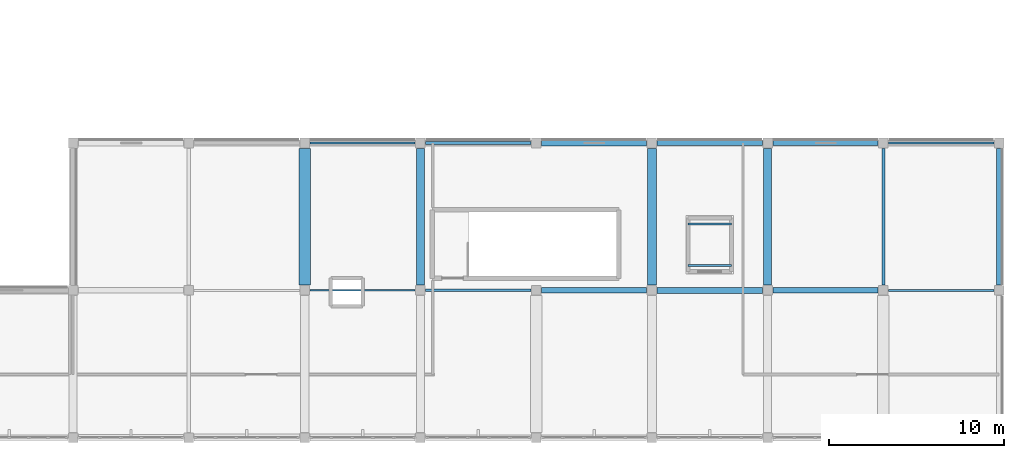
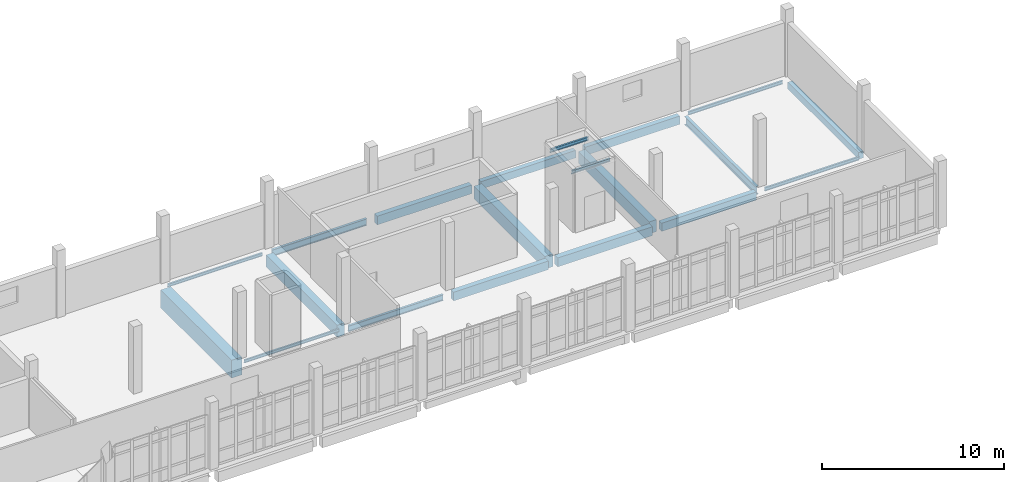
# One storey, part 86 of 134: 20 beams.
"""IFC4 building model written with IfcOpenShell, lengths in metres."""

import ifcopenshell
import ifcopenshell.guid

model = None  # the IFC model being written
_history = None  # IfcOwnerHistory: only IFC2X3 demands one
_inside = {}  # id of a spatial element -> (the spatial element, [elements in it])
_under = {}  # id of a project, library or spatial element -> (it, [spatial elements below it])
_declared = {}  # id of a project -> (the project, [libraries it declares])
_typed = {}  # id of a type object -> (the type object, [elements of that type])
_made_of = {}  # id of a material, layer set ... -> (it, [elements and type objects made of it])


def new_model(schema):
    """Start an empty IFC model of exactly this schema.

    Asked for "IFC4X3", IfcOpenShell would pick the latest addendum, in which some entities
    have other attributes; the version numbers below select the first issue.
    IFC2X3 requires an IfcOwnerHistory on every rooted entity: one is made here for all.
    """
    global model, _history
    if schema == "IFC4X3":
        model = ifcopenshell.file(schema_version=(4, 3, 0, 0))
    else:
        model = ifcopenshell.file(schema=schema)
    _inside.clear()
    _under.clear()
    _declared.clear()
    _typed.clear()
    _made_of.clear()
    _history = None
    if model.schema == "IFC2X3":
        org = make("IfcOrganization", Name="unknown")
        user = make(
            "IfcPersonAndOrganization",
            ThePerson=make("IfcPerson", FamilyName="unknown"),
            TheOrganization=org,
        )
        app = make(
            "IfcApplication",
            ApplicationDeveloper=org,
            Version="unknown",
            ApplicationFullName="unknown",
            ApplicationIdentifier="unknown",
        )
        _history = make(
            "IfcOwnerHistory",
            OwningUser=user,
            OwningApplication=app,
            ChangeAction="ADDED",
            CreationDate=0,
        )
    return model


def make(cls, **values):
    """One entity of the class cls with the attributes given. An attribute that is None is left unset."""
    return model.create_entity(
        cls, **{name: value for name, value in values.items() if value is not None}
    )


def rooted(cls, **values):
    """An entity with a GlobalId (a new one), such as an element, a storey or a relation."""
    return make(cls, GlobalId=ifcopenshell.guid.new(), OwnerHistory=_history, **values)


def si_unit(unit_type, name, prefix=None):
    """IfcSIUnit, for example si_unit("LENGTHUNIT", "METRE", prefix="MILLI")."""
    return make("IfcSIUnit", UnitType=unit_type, Prefix=prefix, Name=name)


def assignment(units):
    """IfcUnitAssignment: the units of a project."""
    return None if units is None else make("IfcUnitAssignment", Units=units)


def point(xyz):
    """IfcCartesianPoint."""
    return None if xyz is None else make("IfcCartesianPoint", Coordinates=xyz)


def direction(xyz):
    """IfcDirection."""
    return None if xyz is None else make("IfcDirection", DirectionRatios=xyz)


def frame(location, z_axis=None, x_axis=None):
    """IfcAxis2Placement3D, a coordinate frame: its origin and axes. An axis left out is left unset."""
    return make(
        "IfcAxis2Placement3D",
        Location=point(location),
        Axis=direction(z_axis),
        RefDirection=direction(x_axis),
    )


def frame_2d(location, x_axis=None):
    """IfcAxis2Placement2D, a coordinate frame in the plane: its origin and x axis."""
    return make(
        "IfcAxis2Placement2D", Location=point(location), RefDirection=direction(x_axis)
    )


def origin():
    """The frame at (0, 0, 0) with its axes left unset."""
    return frame((0.0, 0.0, 0.0))


def origin_2d():
    """The frame at (0, 0) in the plane with its x axis left unset."""
    return frame_2d((0.0, 0.0))


def place(relative_to, where):
    """IfcLocalPlacement: puts the frame where relative to a parent placement (None: the world)."""
    return make(
        "IfcLocalPlacement", PlacementRelTo=relative_to, RelativePlacement=where
    )


def context(
    kind, dimensions, precision=None, world=None, true_north=None, identifier=None
):
    """IfcGeometricRepresentationContext, for example the 3D "Model" context."""
    return make(
        "IfcGeometricRepresentationContext",
        ContextIdentifier=identifier,
        ContextType=kind,
        CoordinateSpaceDimension=dimensions,
        Precision=precision,
        WorldCoordinateSystem=world,
        TrueNorth=true_north,
    )


def subcontext(parent, identifier, kind, view, scale=None):
    """IfcGeometricRepresentationSubContext, for example "Body" below "Model"."""
    return make(
        "IfcGeometricRepresentationSubContext",
        ContextIdentifier=identifier,
        ContextType=kind,
        ParentContext=parent,
        TargetScale=scale,
        TargetView=view,
    )


def project(units=None, contexts=None):
    """IfcProject with its units and contexts."""
    return rooted(
        "IfcProject",
        Name="project",
        RepresentationContexts=contexts,
        UnitsInContext=assignment(units),
    )


def spatial(cls, under=None, at=None, **own):
    """A site, building, storey or space (cls), placed at a placement, below another one or the project."""
    s = rooted(cls, ObjectPlacement=at, **own)
    if under is not None:
        _under.setdefault(under.id(), (under, []))[1].append(s)
    return s


def profile(cls, at=None, kind="AREA", **sizes):
    """A parametric profile (cls). Its sizes go by their IFC names, for example OverallWidth=200.0."""
    return make(cls, ProfileType=kind, Position=at, **sizes)


def rectangle(**sizes):
    """IfcRectangleProfileDef."""
    return profile("IfcRectangleProfileDef", **sizes)


def i_section(**sizes):
    """IfcIShapeProfileDef."""
    return profile("IfcIShapeProfileDef", **sizes)


def extrude(swept, where, along, depth):
    """IfcExtrudedAreaSolid: the profile swept, set in the frame where, extruded along a direction by depth."""
    return make(
        "IfcExtrudedAreaSolid",
        SweptArea=swept,
        Position=where,
        ExtrudedDirection=direction(along),
        Depth=depth,
    )


def shape(context_of_items, identifier, shape_type, items):
    """IfcShapeRepresentation: the items that make up one representation, for example the "Body"."""
    return make(
        "IfcShapeRepresentation",
        ContextOfItems=context_of_items,
        RepresentationIdentifier=identifier,
        RepresentationType=shape_type,
        Items=items,
    )


def material(Name=None, Category=None):
    """IfcMaterial."""
    return make("IfcMaterial", Name=Name, Category=Category)


def material_profile(
    of_material, cross_section, Name=None, Category=None, Priority=None
):
    """IfcMaterialProfile: a cross section and its material."""
    return make(
        "IfcMaterialProfile",
        Name=Name,
        Material=of_material,
        Profile=cross_section,
        Priority=Priority,
        Category=Category,
    )


def profile_set(profiles, Name=None, composite=None):
    """IfcMaterialProfileSet."""
    return make(
        "IfcMaterialProfileSet",
        Name=Name,
        MaterialProfiles=profiles,
        CompositeProfile=composite,
    )


def made_of(thing, what):
    """Note that an element or type object is made of a material, layer set ...; save() writes the relation."""
    if what is not None:
        _made_of.setdefault(what.id(), (what, []))[1].append(thing)
    return thing


def type_object(cls, material=None, **own):
    """A type object (cls), such as IfcWallType, which elements share."""
    return made_of(rooted(cls, **own), material)


def element(
    cls,
    number,
    at=None,
    inside=None,
    cuts=None,
    type_object=None,
    material=None,
    context=None,
    identifier="Body",
    shape_type=None,
    held_by="IfcProductDefinitionShape",
    body=None,
    shapes=None,
    **own,
):
    """One element of the class cls, such as IfcWall. Its Tag is "e" and its number.

    at: its placement. inside: the storey or other place that contains it. cuts: it is an
    opening in that element (IfcRelVoidsElement). A single representation is given by context,
    identifier, shape_type and body (its items); several are given by shapes. held_by: the class
    of the entity that holds the representations. save() writes the other relations.
    """
    e = rooted(cls, Tag="e%d" % number, ObjectPlacement=at, **own)
    if body is not None:
        shapes = [shape(context, identifier, shape_type, body)]
    if shapes is not None:
        e.Representation = make(held_by, Representations=shapes)
    if inside is not None:
        _inside.setdefault(inside.id(), (inside, []))[1].append(e)
    if cuts is not None:
        rooted(
            "IfcRelVoidsElement", RelatingBuildingElement=cuts, RelatedOpeningElement=e
        )
    if type_object is not None:
        _typed.setdefault(type_object.id(), (type_object, []))[1].append(e)
    return made_of(e, material)


def aggregate(whole, parts):
    """IfcRelAggregates: a whole, such as a stair, and the parts it consists of."""
    return rooted("IfcRelAggregates", RelatingObject=whole, RelatedObjects=parts)


def save(model, path):
    """Write the relations noted so far, then the file.

    IfcRelAggregates (storeys below a building ...), IfcRelContainedInSpatialStructure (elements
    in a storey), IfcRelDefinesByType, IfcRelAssociatesMaterial and IfcRelDeclares: one each for
    every whole, place, type object, material and project.
    """
    for whole, parts in _under.values():
        aggregate(whole, parts)
    for where, things in _inside.values():
        rooted(
            "IfcRelContainedInSpatialStructure",
            RelatedElements=things,
            RelatingStructure=where,
        )
    for kind, things in _typed.values():
        rooted("IfcRelDefinesByType", RelatedObjects=things, RelatingType=kind)
    for what, things in _made_of.values():
        rooted("IfcRelAssociatesMaterial", RelatedObjects=things, RelatingMaterial=what)
    for by, libraries in _declared.values():
        rooted("IfcRelDeclares", RelatingContext=by, RelatedDefinitions=libraries)
    model.write(path)


model = new_model("IFC4")

# Units and contexts
model_context = context("Model", 3, precision=1e-05, world=origin(), true_north=direction((0.0, 1.0)))
body_context = subcontext(model_context, "Body", "Model", "MODEL_VIEW")
ifc_project = project(units=[si_unit("LENGTHUNIT", "METRE"), si_unit("AREAUNIT", "SQUARE_METRE"), si_unit("VOLUMEUNIT", "CUBIC_METRE"), si_unit("PLANEANGLEUNIT", "RADIAN"), si_unit("MASSUNIT", "GRAM", prefix="KILO")], contexts=[model_context])

# Site, building, storey
site_placement = place(None, origin())
site = spatial("IfcSite", under=ifc_project, at=site_placement, CompositionType="ELEMENT")
building_placement = place(site_placement, origin())
building = spatial("IfcBuilding", under=site, at=building_placement, Name="Kalluvel Institute of Natural Sciences", CompositionType="ELEMENT")
storey_placement = place(building_placement, frame((0.0, 0.0, 5.39990234375)))
storey = spatial("IfcBuildingStorey", under=building, at=storey_placement, Name="L01", CompositionType="ELEMENT", Elevation=5.39990234375)

# Beams
ifc_material_1 = material(Name="Steel E350 Grade 350", Category="steel")
ifc_material_profile_1 = material_profile(ifc_material_1, i_section(OverallWidth=0.10009765625, OverallDepth=0.199951171875, WebThickness=0.005615234375, FlangeThickness=0.0107421875, FilletRadius=0.010986328125, at=origin_2d()), Name="ISMB 200")
ifc_profile_set_1 = profile_set([ifc_material_profile_1], Name="Steel E350 Grade 350")
beam_type_1 = type_object("IfcBeamType", Name="BM-ISMB200", PredefinedType="BEAM", material=ifc_profile_set_1)
for number, where, z_axis, x_axis, name in (
    (1, (142.699951171875, 111.199951171875, -0.4599609375), (1.0, 0.0, 0.0), (0.0, 1.0, 0.0), "L01 girder GIR-L01-EW-X1424-Y1112"),
    (2, (142.699951171875, 119.60009765625, -0.4599609375), (1.0, 0.0, 0.0), (0.0, 1.0, 0.0), "L01 girder GIR-L01-EW-X1424-Y1196"),
):
    element("IfcBeam", number, at=place(storey_placement, frame(where, z_axis=z_axis, x_axis=x_axis)), inside=storey, type_object=beam_type_1, Name=name, PredefinedType="BEAM", context=body_context, shape_type="SweptSolid", body=[
        extrude(i_section(OverallWidth=0.10009765625, OverallDepth=0.199951171875, WebThickness=0.005615234375, FlangeThickness=0.0107421875, FilletRadius=0.010986328125, at=origin_2d()), origin(), (0.0, 0.0, 1.0), 6.0),
    ])
ifc_material_profile_2 = material_profile(ifc_material_1, i_section(OverallWidth=0.110107421875, OverallDepth=0.22509765625, WebThickness=0.006591796875, FlangeThickness=0.01171875, FilletRadius=0.011962890625, at=origin_2d()), Name="ISMB 225")
ifc_profile_set_2 = profile_set([ifc_material_profile_2], Name="Steel E350 Grade 350")
beam_type_2 = type_object("IfcBeamType", Name="BM-ISMB225", PredefinedType="BEAM", material=ifc_profile_set_2)
for number, where, z_axis, x_axis, name in (
    (3, (175.699951171875, 111.199951171875, -0.472412109375), (1.0, 0.0, 0.0), (0.0, 1.0, 0.0), "L01 girder GIR-L01-EW-X1754-Y1112"),
    (4, (175.699951171875, 119.60009765625, -0.472412109375), (1.0, 0.0, 0.0), (0.0, 1.0, 0.0), "L01 girder GIR-L01-EW-X1754-Y1196"),
):
    element("IfcBeam", number, at=place(storey_placement, frame(where, z_axis=z_axis, x_axis=x_axis)), inside=storey, type_object=beam_type_2, Name=name, PredefinedType="BEAM", context=body_context, shape_type="SweptSolid", body=[
        extrude(i_section(OverallWidth=0.110107421875, OverallDepth=0.22509765625, WebThickness=0.006591796875, FlangeThickness=0.01171875, FilletRadius=0.011962890625, at=origin_2d()), origin(), (0.0, 0.0, 1.0), 6.0),
    ])
for number, where, z_axis, x_axis, name in (
    (5, (164.27001953125, 112.6201171875, 3.8076171875), (1.0, 0.0, 0.0), (0.0, 1.0, 0.0), "LF5 overrun cap support beam S"),
    (6, (164.27001953125, 114.97998046875, 3.8076171875), (1.0, 0.0, 0.0), (0.0, 1.0, 0.0), "LF5 overrun cap support beam N"),
):
    element("IfcBeam", number, at=place(storey_placement, frame(where, z_axis=z_axis, x_axis=x_axis)), inside=storey, type_object=beam_type_2, Name=name, PredefinedType="BEAM", context=body_context, shape_type="SweptSolid", body=[
        extrude(i_section(OverallWidth=0.110107421875, OverallDepth=0.22509765625, WebThickness=0.006591796875, FlangeThickness=0.01171875, FilletRadius=0.011962890625, at=origin_2d()), origin(), (0.0, 0.0, 1.0), 2.4599609375),
    ])
ifc_material_profile_3 = material_profile(ifc_material_1, i_section(OverallWidth=0.139892578125, OverallDepth=0.39990234375, WebThickness=0.0087890625, FlangeThickness=0.01611328125, FilletRadius=0.013916015625, at=origin_2d()), Name="ISMB 400")
ifc_profile_set_3 = profile_set([ifc_material_profile_3], Name="Steel E350 Grade 350")
beam_type_3 = type_object("IfcBeamType", Name="BM-ISMB400", PredefinedType="BEAM", material=ifc_profile_set_3)
beam_1_placement = place(storey_placement, frame((149.300048828125, 111.199951171875, -0.559814453125), z_axis=(1.0, 0.0, 0.0), x_axis=(0.0, 1.0, 0.0)))
element("IfcBeam", 7, at=beam_1_placement, inside=storey, type_object=beam_type_3, Name="L01 girder GIR-L01-EW-X1490-Y1112", PredefinedType="BEAM", context=body_context, shape_type="SweptSolid", body=[
    extrude(i_section(OverallWidth=0.139892578125, OverallDepth=0.39990234375, WebThickness=0.0087890625, FlangeThickness=0.01611328125, FilletRadius=0.013916015625, at=origin_2d()), origin(), (0.0, 0.0, 1.0), 6.0),
])
ifc_material_profile_4 = material_profile(ifc_material_1, i_section(OverallWidth=0.14990234375, OverallDepth=0.449951171875, WebThickness=0.009521484375, FlangeThickness=0.017333984375, FilletRadius=0.014892578125, at=origin_2d()), Name="ISMB 450")
ifc_profile_set_4 = profile_set([ifc_material_profile_4], Name="Steel E350 Grade 350")
beam_type_4 = type_object("IfcBeamType", Name="BM-ISMB450", PredefinedType="BEAM", material=ifc_profile_set_4)
beam_2_placement = place(storey_placement, frame((149.300048828125, 119.60009765625, -0.5849609375), z_axis=(1.0, 0.0, 0.0), x_axis=(0.0, 1.0, 0.0)))
element("IfcBeam", 8, at=beam_2_placement, inside=storey, type_object=beam_type_4, Name="L01 girder GIR-L01-EW-X1490-Y1196", PredefinedType="BEAM", context=body_context, shape_type="SweptSolid", body=[
    extrude(i_section(OverallWidth=0.14990234375, OverallDepth=0.449951171875, WebThickness=0.009521484375, FlangeThickness=0.017333984375, FilletRadius=0.014892578125, at=origin_2d()), origin(), (0.0, 0.0, 1.0), 6.0),
])
ifc_material_profile_5 = material_profile(ifc_material_1, i_section(OverallWidth=0.18994140625, OverallDepth=0.550048828125, WebThickness=0.01123046875, FlangeThickness=0.019287109375, FilletRadius=0.01806640625, at=origin_2d()), Name="ISMB 550")
ifc_profile_set_5 = profile_set([ifc_material_profile_5], Name="Steel E350 Grade 350")
beam_type_5 = type_object("IfcBeamType", Name="BM-ISMB550", PredefinedType="BEAM", material=ifc_profile_set_5)
beam_3_placement = place(storey_placement, frame((175.39990234375, 111.5, -0.635009765625), z_axis=(0.0, 1.0, 0.0), x_axis=(-1.0, 0.0, 0.0)))
element("IfcBeam", 9, at=beam_3_placement, inside=storey, type_object=beam_type_5, Name="L01 girder GIR-L01-NS-X1754-Y1112", PredefinedType="BEAM", context=body_context, shape_type="SweptSolid", body=[
    extrude(i_section(OverallWidth=0.18994140625, OverallDepth=0.550048828125, WebThickness=0.01123046875, FlangeThickness=0.019287109375, FilletRadius=0.01806640625, at=origin_2d()), origin(), (0.0, 0.0, 1.0), 7.800048828125),
])
ifc_material_2 = material(Name="Concrete M40", Category="concrete")
ifc_material_profile_6 = material_profile(ifc_material_2, rectangle(XDim=0.280029296875, YDim=0.5, at=origin_2d()), Name="RCB 280x500")
ifc_profile_set_6 = profile_set([ifc_material_profile_6], Name="Concrete M40")
beam_type_6 = type_object("IfcBeamType", Name="BM-RC280x500", PredefinedType="BEAM", material=ifc_profile_set_6)
beam_4_placement = place(storey_placement, frame((162.5, 119.60009765625, -0.60986328125), z_axis=(1.0, 0.0, 0.0), x_axis=(0.0, 1.0, 0.0)))
element("IfcBeam", 10, at=beam_4_placement, inside=storey, type_object=beam_type_6, Name="L01 girder GIR-L01-EW-X1622-Y1196", PredefinedType="BEAM", context=body_context, shape_type="SweptSolid", body=[
    extrude(rectangle(XDim=0.280029296875, YDim=0.5, at=origin_2d()), origin(), (0.0, 0.0, 1.0), 6.0),
])
ifc_material_profile_7 = material_profile(ifc_material_2, rectangle(XDim=0.300048828125, YDim=0.550048828125, at=origin_2d()), Name="RCB 300x550")
ifc_profile_set_7 = profile_set([ifc_material_profile_7], Name="Concrete M40")
beam_type_7 = type_object("IfcBeamType", Name="BM-RC300x550", PredefinedType="BEAM", material=ifc_profile_set_7)
for number, where, z_axis, x_axis, name in (
    (11, (169.10009765625, 111.199951171875, -0.635009765625), (1.0, 0.0, 0.0), (0.0, 1.0, 0.0), "L01 girder GIR-L01-EW-X1688-Y1112"),
    (12, (169.10009765625, 119.60009765625, -0.635009765625), (1.0, 0.0, 0.0), (0.0, 1.0, 0.0), "L01 girder GIR-L01-EW-X1688-Y1196"),
):
    element("IfcBeam", number, at=place(storey_placement, frame(where, z_axis=z_axis, x_axis=x_axis)), inside=storey, type_object=beam_type_7, Name=name, PredefinedType="BEAM", context=body_context, shape_type="SweptSolid", body=[
        extrude(rectangle(XDim=0.300048828125, YDim=0.550048828125, at=origin_2d()), origin(), (0.0, 0.0, 1.0), 6.0),
    ])
ifc_material_profile_8 = material_profile(ifc_material_2, rectangle(XDim=0.320068359375, YDim=0.580078125, at=origin_2d()), Name="RCB 320x580")
ifc_profile_set_8 = profile_set([ifc_material_profile_8], Name="Concrete M40")
beam_type_8 = type_object("IfcBeamType", Name="BM-RC320x580", PredefinedType="BEAM", material=ifc_profile_set_8)
for number, where, z_axis, x_axis, name in (
    (13, (155.89990234375, 111.199951171875, -0.64990234375), (1.0, 0.0, 0.0), (0.0, 1.0, 0.0), "L01 girder GIR-L01-EW-X1556-Y1112"),
    (14, (155.89990234375, 119.60009765625, -0.64990234375), (1.0, 0.0, 0.0), (0.0, 1.0, 0.0), "L01 girder GIR-L01-EW-X1556-Y1196"),
):
    element("IfcBeam", number, at=place(storey_placement, frame(where, z_axis=z_axis, x_axis=x_axis)), inside=storey, type_object=beam_type_8, Name=name, PredefinedType="BEAM", context=body_context, shape_type="SweptSolid", body=[
        extrude(rectangle(XDim=0.320068359375, YDim=0.580078125, at=origin_2d()), origin(), (0.0, 0.0, 1.0), 6.0),
    ])
ifc_material_profile_9 = material_profile(ifc_material_2, rectangle(XDim=0.35009765625, YDim=0.60009765625, at=origin_2d()), Name="RCB 350x600")
ifc_profile_set_9 = profile_set([ifc_material_profile_9], Name="Concrete M40")
beam_type_9 = type_object("IfcBeamType", Name="BM-RC350x600", PredefinedType="BEAM", material=ifc_profile_set_9)
beam_5_placement = place(storey_placement, frame((162.5, 111.199951171875, -0.659912109375), z_axis=(1.0, 0.0, 0.0), x_axis=(0.0, 1.0, 0.0)))
element("IfcBeam", 15, at=beam_5_placement, inside=storey, type_object=beam_type_9, Name="L01 girder GIR-L01-EW-X1622-Y1112", PredefinedType="BEAM", context=body_context, shape_type="SweptSolid", body=[
    extrude(rectangle(XDim=0.35009765625, YDim=0.60009765625, at=origin_2d()), origin(), (0.0, 0.0, 1.0), 6.0),
])
ifc_material_profile_10 = material_profile(ifc_material_2, rectangle(XDim=0.449951171875, YDim=0.800048828125, at=origin_2d()), Name="RCB 450x800")
ifc_profile_set_10 = profile_set([ifc_material_profile_10], Name="Concrete M40")
beam_type_10 = type_object("IfcBeamType", Name="BM-RC450x800", PredefinedType="BEAM", material=ifc_profile_set_10)
for number, where, z_axis, x_axis, name in (
    (16, (149.0, 111.5, -0.760009765625), (0.0, 1.0, 0.0), (-1.0, 0.0, 0.0), "L01 girder GIR-L01-NS-X1490-Y1112"),
    (17, (168.800048828125, 111.5, -0.760009765625), (0.0, 1.0, 0.0), (-1.0, 0.0, 0.0), "L01 girder GIR-L01-NS-X1688-Y1112"),
):
    element("IfcBeam", number, at=place(storey_placement, frame(where, z_axis=z_axis, x_axis=x_axis)), inside=storey, type_object=beam_type_10, Name=name, PredefinedType="BEAM", context=body_context, shape_type="SweptSolid", body=[
        extrude(rectangle(XDim=0.449951171875, YDim=0.800048828125, at=origin_2d()), origin(), (0.0, 0.0, 1.0), 7.800048828125),
    ])
ifc_material_3 = material(Name="Concrete M50", Category="concrete")
ifc_material_profile_11 = material_profile(ifc_material_3, rectangle(XDim=0.5, YDim=0.85009765625, at=origin_2d()), Name="RCB 500x850")
ifc_profile_set_11 = profile_set([ifc_material_profile_11], Name="Concrete M50")
beam_type_11 = type_object("IfcBeamType", Name="BM-RC500x850", PredefinedType="BEAM", material=ifc_profile_set_11)
beam_6_placement = place(storey_placement, frame((162.199951171875, 111.5, -0.784912109375), z_axis=(0.0, 1.0, 0.0), x_axis=(-1.0, 0.0, 0.0)))
element("IfcBeam", 18, at=beam_6_placement, inside=storey, type_object=beam_type_11, Name="L01 girder GIR-L01-NS-X1622-Y1112", PredefinedType="BEAM", context=body_context, shape_type="SweptSolid", body=[
    extrude(rectangle(XDim=0.5, YDim=0.85009765625, at=origin_2d()), origin(), (0.0, 0.0, 1.0), 7.800048828125),
])
ifc_material_profile_12 = material_profile(ifc_material_3, rectangle(XDim=0.64990234375, YDim=1.199951171875, at=origin_2d()), Name="RCB 650x1200")
ifc_profile_set_12 = profile_set([ifc_material_profile_12], Name="Concrete M50")
beam_type_12 = type_object("IfcBeamType", Name="BM-RC650x1200", PredefinedType="BEAM", material=ifc_profile_set_12)
beam_7_placement = place(storey_placement, frame((142.39990234375, 111.5, -0.9599609375), z_axis=(0.0, 1.0, 0.0), x_axis=(-1.0, 0.0, 0.0)))
element("IfcBeam", 19, at=beam_7_placement, inside=storey, type_object=beam_type_12, Name="L01 girder GIR-L01-NS-X1424-Y1112", PredefinedType="BEAM", context=body_context, shape_type="SweptSolid", body=[
    extrude(rectangle(XDim=0.64990234375, YDim=1.199951171875, at=origin_2d()), origin(), (0.0, 0.0, 1.0), 7.800048828125),
])
ifc_material_profile_13 = material_profile(ifc_material_2, rectangle(XDim=0.300048828125, YDim=0.449951171875, at=origin_2d()), Name="RCB 300x450")
ifc_profile_set_13 = profile_set([ifc_material_profile_13], Name="Concrete M40")
beam_type_13 = type_object("IfcBeamType", Name="SP-RC300x450", PredefinedType="SPANDREL", material=ifc_profile_set_13)
beam_8_placement = place(storey_placement, frame((182.0, 111.5, -0.5849609375), z_axis=(0.0, 1.0, 0.0), x_axis=(-1.0, 0.0, 0.0)))
element("IfcBeam", 20, at=beam_8_placement, inside=storey, type_object=beam_type_13, Name="L01 girder GIR-L01-NS-X1820-Y1112", PredefinedType="SPANDREL", context=body_context, shape_type="SweptSolid", body=[
    extrude(rectangle(XDim=0.300048828125, YDim=0.449951171875, at=origin_2d()), origin(), (0.0, 0.0, 1.0), 7.800048828125),
])

save(model, "model.ifc")
